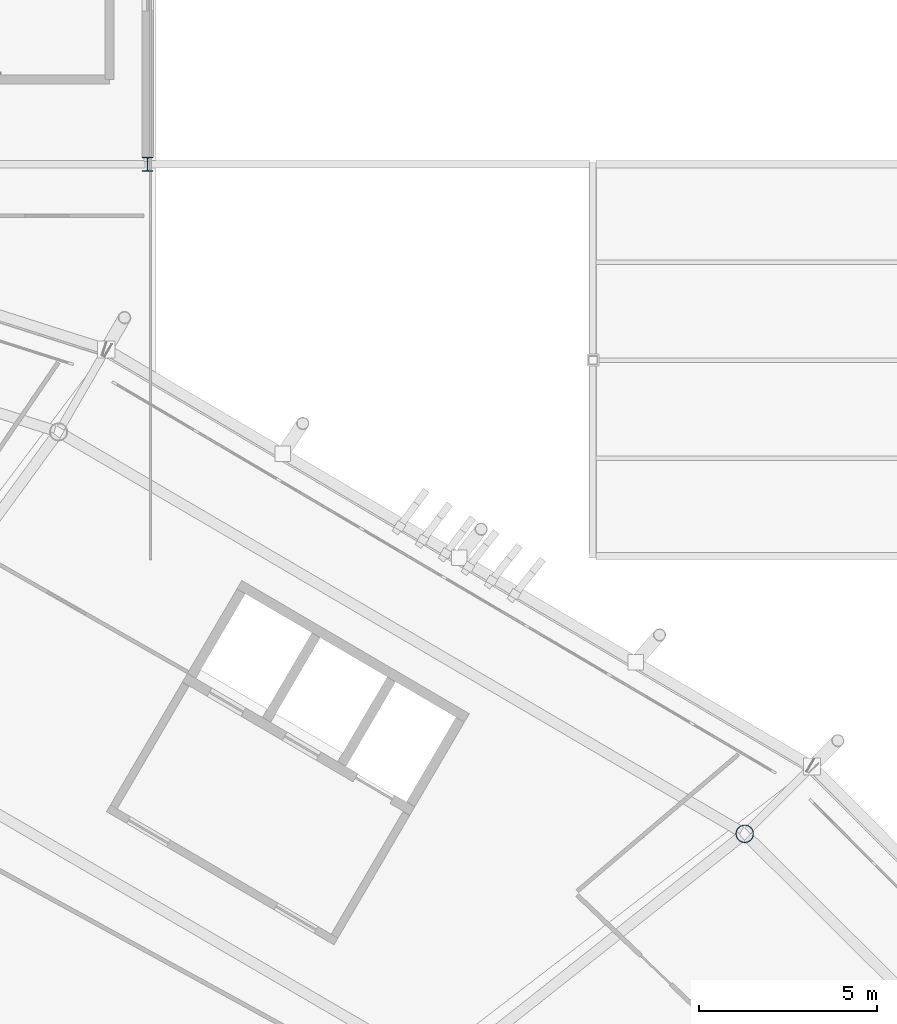
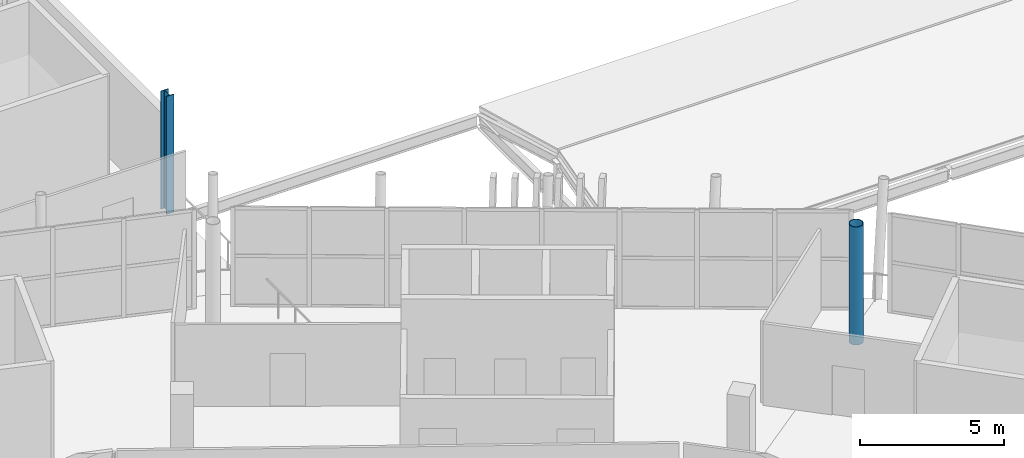
# One storey, part 21 of 179: 2 columns.
"""IFC4 building model written with IfcOpenShell, lengths in metres."""

from ifc_helpers import new_model, si_unit, direction, frame, origin, origin_2d, place, context, subcontext, project, spatial, hollow_circle, i_section, extrude, material, material_profile, profile_set, type_object, element, save


model = new_model("IFC4")

# Units and contexts
model_context = context("Model", 3, precision=1e-05, world=origin(), true_north=direction((0.0, 1.0)))
body_context = subcontext(model_context, "Body", "Model", "MODEL_VIEW")
ifc_project = project(units=[si_unit("LENGTHUNIT", "METRE"), si_unit("AREAUNIT", "SQUARE_METRE"), si_unit("VOLUMEUNIT", "CUBIC_METRE"), si_unit("PLANEANGLEUNIT", "RADIAN"), si_unit("MASSUNIT", "GRAM", prefix="KILO")], contexts=[model_context])

# Site, building, storey
site_placement = place(None, origin())
site = spatial("IfcSite", under=ifc_project, at=site_placement, CompositionType="ELEMENT")
building_placement = place(site_placement, origin())
building = spatial("IfcBuilding", under=site, at=building_placement, Name="Zlatoyarsky Gate Stadium", CompositionType="ELEMENT")
storey_placement = place(building_placement, frame((0.0, 0.0, 10.60009765625)))
storey = spatial("IfcBuildingStorey", under=building, at=storey_placement, Name="L02", CompositionType="ELEMENT", Elevation=10.60009765625)

# Columns
ifc_material = material(Name="Steel S355", Category="steel")
ifc_material_profile_1 = material_profile(ifc_material, i_section(OverallWidth=0.300048828125, OverallDepth=0.39990234375, WebThickness=0.013427734375, FlangeThickness=0.02392578125, FilletRadius=0.027099609375, at=origin_2d()), Name="HEB 400")
ifc_profile_set_1 = profile_set([ifc_material_profile_1], Name="Steel S355")
column_type_1 = type_object("IfcColumnType", Name="STEEL COLUMN HEB 400", PredefinedType="COLUMN", material=ifc_profile_set_1)
column_1_placement = place(storey_placement, frame((160.0, 149.0, 0.0), z_axis=(0.0, 0.0, 1.0), x_axis=(1.0, 0.0, 0.0)))
element("IfcColumn", 1, at=column_1_placement, inside=storey, type_object=column_type_1, Name="Column ST-C400 WG-14-P on L02", PredefinedType="COLUMN", context=body_context, shape_type="SweptSolid", body=[
    extrude(i_section(OverallWidth=0.300048828125, OverallDepth=0.39990234375, WebThickness=0.013427734375, FlangeThickness=0.02392578125, FilletRadius=0.027099609375, at=origin_2d()), origin(), (0.0, 0.0, 1.0), 5.0),
])
ifc_material_profile_2 = material_profile(ifc_material, hollow_circle(Radius=0.25390625, WallThickness=0.02490234375, at=origin_2d()), Name="CHS 508X25")
ifc_profile_set_2 = profile_set([ifc_material_profile_2], Name="Steel S355")
column_type_2 = type_object("IfcColumnType", Name="STEEL TUBULAR COLUMN CHS 508X25", PredefinedType="COLUMN", material=ifc_profile_set_2)
column_2_placement = place(storey_placement, frame((176.760986328125, 130.20458984375, 0.0), z_axis=(0.0, 0.0, 1.0), x_axis=(0.707106781187, 0.707106781187, 0.0)))
element("IfcColumn", 2, at=column_2_placement, inside=storey, type_object=column_type_2, Name="Column ST-C508 RC-03 on L02", PredefinedType="COLUMN", context=body_context, shape_type="SweptSolid", body=[
    extrude(hollow_circle(Radius=0.25390625, WallThickness=0.02490234375, at=origin_2d()), origin(), (0.0, 0.0, 1.0), 5.0),
])

save(model, "model.ifc")
